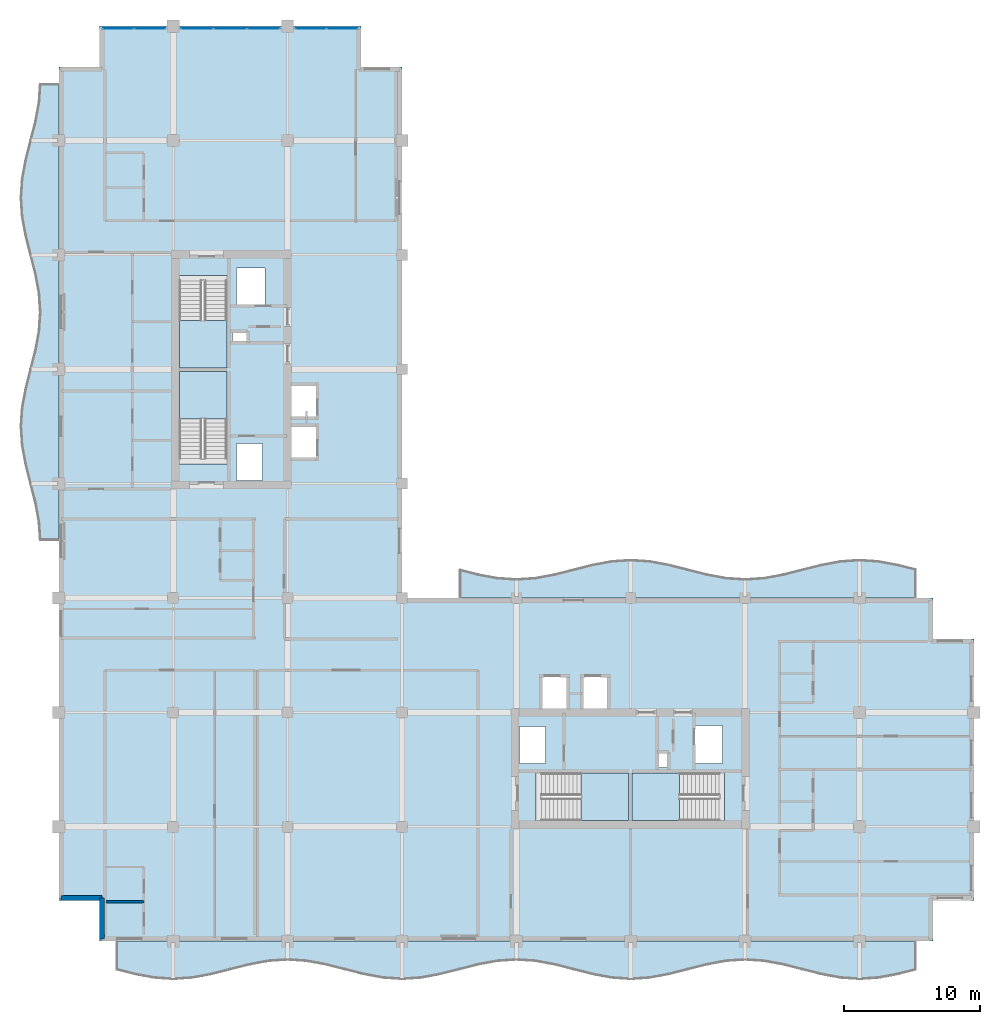
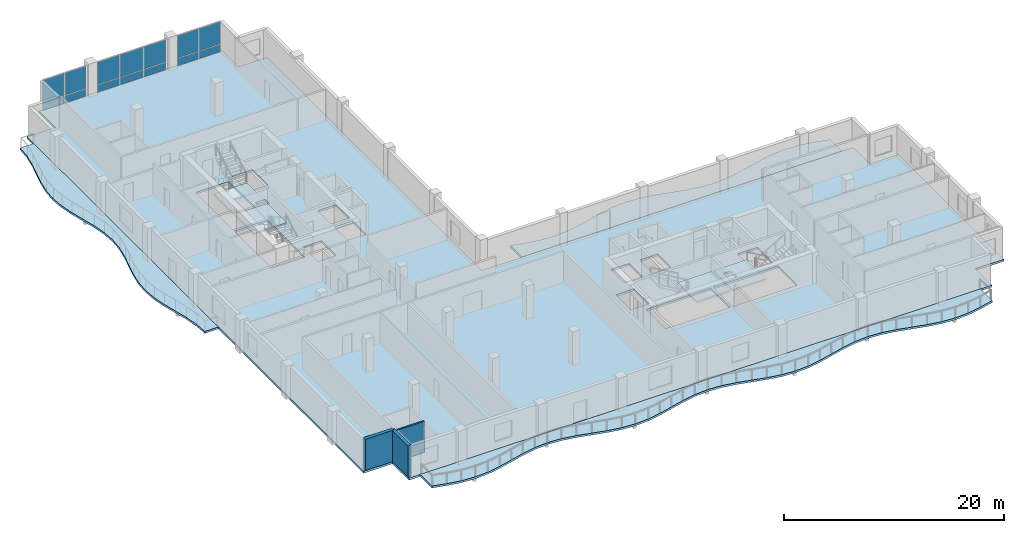
# One storey, part 5 of 16: 14 plates, 8 slabs, 3 walls, 7 elements without a shape of their own.
"""IFC4 building model written with IfcOpenShell, lengths in metres."""

import ifcopenshell
import ifcopenshell.guid

model = None  # the IFC model being written
_history = None  # IfcOwnerHistory: only IFC2X3 demands one
_inside = {}  # id of a spatial element -> (the spatial element, [elements in it])
_under = {}  # id of a project, library or spatial element -> (it, [spatial elements below it])
_declared = {}  # id of a project -> (the project, [libraries it declares])
_typed = {}  # id of a type object -> (the type object, [elements of that type])
_made_of = {}  # id of a material, layer set ... -> (it, [elements and type objects made of it])


def new_model(schema):
    """Start an empty IFC model of exactly this schema.

    Asked for "IFC4X3", IfcOpenShell would pick the latest addendum, in which some entities
    have other attributes; the version numbers below select the first issue.
    IFC2X3 requires an IfcOwnerHistory on every rooted entity: one is made here for all.
    """
    global model, _history
    if schema == "IFC4X3":
        model = ifcopenshell.file(schema_version=(4, 3, 0, 0))
    else:
        model = ifcopenshell.file(schema=schema)
    _inside.clear()
    _under.clear()
    _declared.clear()
    _typed.clear()
    _made_of.clear()
    _history = None
    if model.schema == "IFC2X3":
        org = make("IfcOrganization", Name="unknown")
        user = make(
            "IfcPersonAndOrganization",
            ThePerson=make("IfcPerson", FamilyName="unknown"),
            TheOrganization=org,
        )
        app = make(
            "IfcApplication",
            ApplicationDeveloper=org,
            Version="unknown",
            ApplicationFullName="unknown",
            ApplicationIdentifier="unknown",
        )
        _history = make(
            "IfcOwnerHistory",
            OwningUser=user,
            OwningApplication=app,
            ChangeAction="ADDED",
            CreationDate=0,
        )
    return model


def make(cls, **values):
    """One entity of the class cls with the attributes given. An attribute that is None is left unset."""
    return model.create_entity(
        cls, **{name: value for name, value in values.items() if value is not None}
    )


def rooted(cls, **values):
    """An entity with a GlobalId (a new one), such as an element, a storey or a relation."""
    return make(cls, GlobalId=ifcopenshell.guid.new(), OwnerHistory=_history, **values)


def si_unit(unit_type, name, prefix=None):
    """IfcSIUnit, for example si_unit("LENGTHUNIT", "METRE", prefix="MILLI")."""
    return make("IfcSIUnit", UnitType=unit_type, Prefix=prefix, Name=name)


def assignment(units):
    """IfcUnitAssignment: the units of a project."""
    return None if units is None else make("IfcUnitAssignment", Units=units)


def point(xyz):
    """IfcCartesianPoint."""
    return None if xyz is None else make("IfcCartesianPoint", Coordinates=xyz)


def direction(xyz):
    """IfcDirection."""
    return None if xyz is None else make("IfcDirection", DirectionRatios=xyz)


def frame(location, z_axis=None, x_axis=None):
    """IfcAxis2Placement3D, a coordinate frame: its origin and axes. An axis left out is left unset."""
    return make(
        "IfcAxis2Placement3D",
        Location=point(location),
        Axis=direction(z_axis),
        RefDirection=direction(x_axis),
    )


def frame_2d(location, x_axis=None):
    """IfcAxis2Placement2D, a coordinate frame in the plane: its origin and x axis."""
    return make(
        "IfcAxis2Placement2D", Location=point(location), RefDirection=direction(x_axis)
    )


def origin():
    """The frame at (0, 0, 0) with its axes left unset."""
    return frame((0.0, 0.0, 0.0))


def origin_2d():
    """The frame at (0, 0) in the plane with its x axis left unset."""
    return frame_2d((0.0, 0.0))


def place(relative_to, where):
    """IfcLocalPlacement: puts the frame where relative to a parent placement (None: the world)."""
    return make(
        "IfcLocalPlacement", PlacementRelTo=relative_to, RelativePlacement=where
    )


def context(
    kind, dimensions, precision=None, world=None, true_north=None, identifier=None
):
    """IfcGeometricRepresentationContext, for example the 3D "Model" context."""
    return make(
        "IfcGeometricRepresentationContext",
        ContextIdentifier=identifier,
        ContextType=kind,
        CoordinateSpaceDimension=dimensions,
        Precision=precision,
        WorldCoordinateSystem=world,
        TrueNorth=true_north,
    )


def subcontext(parent, identifier, kind, view, scale=None):
    """IfcGeometricRepresentationSubContext, for example "Body" below "Model"."""
    return make(
        "IfcGeometricRepresentationSubContext",
        ContextIdentifier=identifier,
        ContextType=kind,
        ParentContext=parent,
        TargetScale=scale,
        TargetView=view,
    )


def project(units=None, contexts=None):
    """IfcProject with its units and contexts."""
    return rooted(
        "IfcProject",
        Name="project",
        RepresentationContexts=contexts,
        UnitsInContext=assignment(units),
    )


def spatial(cls, under=None, at=None, **own):
    """A site, building, storey or space (cls), placed at a placement, below another one or the project."""
    s = rooted(cls, ObjectPlacement=at, **own)
    if under is not None:
        _under.setdefault(under.id(), (under, []))[1].append(s)
    return s


def polyline(points):
    """IfcPolyline through the points."""
    return make("IfcPolyline", Points=[point(p) for p in points])


def profile(cls, at=None, kind="AREA", **sizes):
    """A parametric profile (cls). Its sizes go by their IFC names, for example OverallWidth=200.0."""
    return make(cls, ProfileType=kind, Position=at, **sizes)


def rectangle(**sizes):
    """IfcRectangleProfileDef."""
    return profile("IfcRectangleProfileDef", **sizes)


def outline(outer, holes=None, kind="AREA"):
    """IfcArbitraryClosedProfileDef: a profile drawn as a closed curve; with holes, ...WithVoids."""
    if holes is None:
        return make("IfcArbitraryClosedProfileDef", ProfileType=kind, OuterCurve=outer)
    return make(
        "IfcArbitraryProfileDefWithVoids",
        ProfileType=kind,
        OuterCurve=outer,
        InnerCurves=holes,
    )


def extrude(swept, where, along, depth):
    """IfcExtrudedAreaSolid: the profile swept, set in the frame where, extruded along a direction by depth."""
    return make(
        "IfcExtrudedAreaSolid",
        SweptArea=swept,
        Position=where,
        ExtrudedDirection=direction(along),
        Depth=depth,
    )


def shape(context_of_items, identifier, shape_type, items):
    """IfcShapeRepresentation: the items that make up one representation, for example the "Body"."""
    return make(
        "IfcShapeRepresentation",
        ContextOfItems=context_of_items,
        RepresentationIdentifier=identifier,
        RepresentationType=shape_type,
        Items=items,
    )


def material(Name=None, Category=None):
    """IfcMaterial."""
    return make("IfcMaterial", Name=Name, Category=Category)


def layer(
    of_material, thickness, ventilated=None, Name=None, Category=None, Priority=None
):
    """IfcMaterialLayer: one layer of a wall or slab, of a material (None: an air gap)."""
    return make(
        "IfcMaterialLayer",
        Material=of_material,
        LayerThickness=thickness,
        IsVentilated=ventilated,
        Name=Name,
        Category=Category,
        Priority=Priority,
    )


def layer_set(layers, Name=None):
    """IfcMaterialLayerSet."""
    return make("IfcMaterialLayerSet", MaterialLayers=layers, LayerSetName=Name)


def made_of(thing, what):
    """Note that an element or type object is made of a material, layer set ...; save() writes the relation."""
    if what is not None:
        _made_of.setdefault(what.id(), (what, []))[1].append(thing)
    return thing


def type_object(cls, material=None, **own):
    """A type object (cls), such as IfcWallType, which elements share."""
    return made_of(rooted(cls, **own), material)


def element(
    cls,
    number,
    at=None,
    inside=None,
    cuts=None,
    type_object=None,
    material=None,
    context=None,
    identifier="Body",
    shape_type=None,
    held_by="IfcProductDefinitionShape",
    body=None,
    shapes=None,
    **own,
):
    """One element of the class cls, such as IfcWall. Its Tag is "e" and its number.

    at: its placement. inside: the storey or other place that contains it. cuts: it is an
    opening in that element (IfcRelVoidsElement). A single representation is given by context,
    identifier, shape_type and body (its items); several are given by shapes. held_by: the class
    of the entity that holds the representations. save() writes the other relations.
    """
    e = rooted(cls, Tag="e%d" % number, ObjectPlacement=at, **own)
    if body is not None:
        shapes = [shape(context, identifier, shape_type, body)]
    if shapes is not None:
        e.Representation = make(held_by, Representations=shapes)
    if inside is not None:
        _inside.setdefault(inside.id(), (inside, []))[1].append(e)
    if cuts is not None:
        rooted(
            "IfcRelVoidsElement", RelatingBuildingElement=cuts, RelatedOpeningElement=e
        )
    if type_object is not None:
        _typed.setdefault(type_object.id(), (type_object, []))[1].append(e)
    return made_of(e, material)


def aggregate(whole, parts):
    """IfcRelAggregates: a whole, such as a stair, and the parts it consists of."""
    return rooted("IfcRelAggregates", RelatingObject=whole, RelatedObjects=parts)


def save(model, path):
    """Write the relations noted so far, then the file.

    IfcRelAggregates (storeys below a building ...), IfcRelContainedInSpatialStructure (elements
    in a storey), IfcRelDefinesByType, IfcRelAssociatesMaterial and IfcRelDeclares: one each for
    every whole, place, type object, material and project.
    """
    for whole, parts in _under.values():
        aggregate(whole, parts)
    for where, things in _inside.values():
        rooted(
            "IfcRelContainedInSpatialStructure",
            RelatedElements=things,
            RelatingStructure=where,
        )
    for kind, things in _typed.values():
        rooted("IfcRelDefinesByType", RelatedObjects=things, RelatingType=kind)
    for what, things in _made_of.values():
        rooted("IfcRelAssociatesMaterial", RelatedObjects=things, RelatingMaterial=what)
    for by, libraries in _declared.values():
        rooted("IfcRelDeclares", RelatingContext=by, RelatedDefinitions=libraries)
    model.write(path)


model = new_model("IFC4")

# Units and contexts
model_context = context("Model", 3, precision=1e-05, world=origin(), true_north=direction((0.0, 1.0)))
body_context = subcontext(model_context, "Body", "Model", "MODEL_VIEW")
ifc_project = project(units=[si_unit("LENGTHUNIT", "METRE"), si_unit("AREAUNIT", "SQUARE_METRE"), si_unit("VOLUMEUNIT", "CUBIC_METRE"), si_unit("PLANEANGLEUNIT", "RADIAN"), si_unit("MASSUNIT", "GRAM", prefix="KILO")], contexts=[model_context])

# Site, building, storey
site_placement = place(None, origin())
site = spatial("IfcSite", under=ifc_project, at=site_placement, CompositionType="ELEMENT")
building_placement = place(site_placement, origin())
building = spatial("IfcBuilding", under=site, at=building_placement, Name="Koriwani Terraces Tower", CompositionType="ELEMENT")
storey_placement = place(building_placement, frame((0.0, 0.0, 267.5)))
storey = spatial("IfcBuildingStorey", under=building, at=storey_placement, Name="L66", CompositionType="ELEMENT", Elevation=267.5)

# Curtain wall, plates
ifc_material_1 = material(Name="Anodised Bronze Aluminium", Category="aluminium")
ifc_layer_1 = layer(ifc_material_1, 0.169921875, Name="Anodised Bronze Aluminium")
ifc_layer_set_1 = layer_set([ifc_layer_1], Name="Anodised Bronze Aluminium")
curtain_wall_type = type_object("IfcCurtainWallType", Name="CW_RES_ZONE4", PredefinedType="NOTDEFINED", material=ifc_layer_set_1)
curtain_wall_1_placement = place(storey_placement, origin())
curtain_wall_1 = element("IfcCurtainWall", 1, at=curtain_wall_1_placement, inside=storey, type_object=curtain_wall_type, Name="L66 Unitised Curtain Wall (N_TIP) Bay 1", PredefinedType="NOTDEFINED")
ifc_material_2 = material(Name="Tempered Laminated Low-E Glass", Category="glass")
ifc_layer_2 = layer(ifc_material_2, 0.028076171875, Name="Tempered Laminated Low-E Glass")
ifc_layer_set_2 = layer_set([ifc_layer_2], Name="Tempered Laminated Low-E Glass")
plate_type = type_object("IfcPlateType", Name="CW_PANEL_VISION_28", PredefinedType="CURTAIN_PANEL", material=ifc_layer_set_2)
plate_1_placement = place(storey_placement, frame((12.7724609375, 75.425048828125, 0.06494140625), z_axis=(0.0, 0.0, 1.0), x_axis=(1.0, 0.0, 0.0)))
plate_1 = element("IfcPlate", 2, at=plate_1_placement, type_object=plate_type, Name="CW-Z4 panel 1.1", PredefinedType="CURTAIN_PANEL", context=body_context, shape_type="SweptSolid", body=[
    extrude(rectangle(XDim=2.2451171875, YDim=0.028076171875, at=origin_2d()), origin(), (0.0, 0.0, 1.0), 0.802490234375),
])
plate_2_placement = place(storey_placement, frame((12.7724609375, 75.425048828125, 0.9326171875), z_axis=(0.0, 0.0, 1.0), x_axis=(1.0, 0.0, 0.0)))
plate_2 = element("IfcPlate", 3, at=plate_2_placement, type_object=plate_type, Name="CW-Z4 panel 1.2", PredefinedType="CURTAIN_PANEL", context=body_context, shape_type="SweptSolid", body=[
    extrude(rectangle(XDim=2.2451171875, YDim=0.028076171875, at=origin_2d()), origin(), (0.0, 0.0, 1.0), 2.472412109375),
])
plate_3_placement = place(storey_placement, frame((15.092529296875, 75.425048828125, 0.06494140625), z_axis=(0.0, 0.0, 1.0), x_axis=(1.0, 0.0, 0.0)))
plate_3 = element("IfcPlate", 4, at=plate_3_placement, type_object=plate_type, Name="CW-Z4 panel 2.1", PredefinedType="CURTAIN_PANEL", context=body_context, shape_type="SweptSolid", body=[
    extrude(rectangle(XDim=2.2451171875, YDim=0.028076171875, at=origin_2d()), origin(), (0.0, 0.0, 1.0), 0.802490234375),
])
plate_4_placement = place(storey_placement, frame((15.092529296875, 75.425048828125, 0.9326171875), z_axis=(0.0, 0.0, 1.0), x_axis=(1.0, 0.0, 0.0)))
plate_4 = element("IfcPlate", 5, at=plate_4_placement, type_object=plate_type, Name="CW-Z4 panel 2.2", PredefinedType="CURTAIN_PANEL", context=body_context, shape_type="SweptSolid", body=[
    extrude(rectangle(XDim=2.2451171875, YDim=0.028076171875, at=origin_2d()), origin(), (0.0, 0.0, 1.0), 2.472412109375),
])
aggregate(curtain_wall_1, [plate_1, plate_2, plate_3, plate_4])

curtain_wall_2_placement = place(storey_placement, origin())
curtain_wall_2 = element("IfcCurtainWall", 6, at=curtain_wall_2_placement, inside=storey, type_object=curtain_wall_type, Name="L66 Unitised Curtain Wall (N_TIP) Bay 2", PredefinedType="NOTDEFINED")
plate_5_placement = place(storey_placement, frame((18.558837890625, 75.425048828125, 0.06494140625), z_axis=(0.0, 0.0, 1.0), x_axis=(1.0, 0.0, 0.0)))
plate_5 = element("IfcPlate", 7, at=plate_5_placement, type_object=plate_type, Name="CW-Z4 panel 1.1", PredefinedType="CURTAIN_PANEL", context=body_context, shape_type="SweptSolid", body=[
    extrude(rectangle(XDim=2.347412109375, YDim=0.028076171875, at=origin_2d()), origin(), (0.0, 0.0, 1.0), 0.802490234375),
])
plate_6_placement = place(storey_placement, frame((18.558837890625, 75.425048828125, 0.9326171875), z_axis=(0.0, 0.0, 1.0), x_axis=(1.0, 0.0, 0.0)))
plate_6 = element("IfcPlate", 8, at=plate_6_placement, type_object=plate_type, Name="CW-Z4 panel 1.2", PredefinedType="CURTAIN_PANEL", context=body_context, shape_type="SweptSolid", body=[
    extrude(rectangle(XDim=2.347412109375, YDim=0.028076171875, at=origin_2d()), origin(), (0.0, 0.0, 1.0), 2.472412109375),
])
plate_7_placement = place(storey_placement, frame((21.0, 75.425048828125, 0.06494140625), z_axis=(0.0, 0.0, 1.0), x_axis=(1.0, 0.0, 0.0)))
plate_7 = element("IfcPlate", 9, at=plate_7_placement, type_object=plate_type, Name="CW-Z4 panel 2.1", PredefinedType="CURTAIN_PANEL", context=body_context, shape_type="SweptSolid", body=[
    extrude(rectangle(XDim=2.385009765625, YDim=0.028076171875, at=origin_2d()), origin(), (0.0, 0.0, 1.0), 0.802490234375),
])
plate_8_placement = place(storey_placement, frame((21.0, 75.425048828125, 0.9326171875), z_axis=(0.0, 0.0, 1.0), x_axis=(1.0, 0.0, 0.0)))
plate_8 = element("IfcPlate", 10, at=plate_8_placement, type_object=plate_type, Name="CW-Z4 panel 2.2", PredefinedType="CURTAIN_PANEL", context=body_context, shape_type="SweptSolid", body=[
    extrude(rectangle(XDim=2.385009765625, YDim=0.028076171875, at=origin_2d()), origin(), (0.0, 0.0, 1.0), 2.472412109375),
])
plate_9_placement = place(storey_placement, frame((23.441162109375, 75.425048828125, 0.06494140625), z_axis=(0.0, 0.0, 1.0), x_axis=(1.0, 0.0, 0.0)))
plate_9 = element("IfcPlate", 11, at=plate_9_placement, type_object=plate_type, Name="CW-Z4 panel 3.1", PredefinedType="CURTAIN_PANEL", context=body_context, shape_type="SweptSolid", body=[
    extrude(rectangle(XDim=2.347412109375, YDim=0.028076171875, at=origin_2d()), origin(), (0.0, 0.0, 1.0), 0.802490234375),
])
plate_10_placement = place(storey_placement, frame((23.441162109375, 75.425048828125, 0.9326171875), z_axis=(0.0, 0.0, 1.0), x_axis=(1.0, 0.0, 0.0)))
plate_10 = element("IfcPlate", 12, at=plate_10_placement, type_object=plate_type, Name="CW-Z4 panel 3.2", PredefinedType="CURTAIN_PANEL", context=body_context, shape_type="SweptSolid", body=[
    extrude(rectangle(XDim=2.347412109375, YDim=0.028076171875, at=origin_2d()), origin(), (0.0, 0.0, 1.0), 2.472412109375),
])
aggregate(curtain_wall_2, [plate_5, plate_6, plate_7, plate_8, plate_9, plate_10])

curtain_wall_3_placement = place(storey_placement, origin())
curtain_wall_3 = element("IfcCurtainWall", 13, at=curtain_wall_3_placement, inside=storey, type_object=curtain_wall_type, Name="L66 Unitised Curtain Wall (N_TIP) Bay 3", PredefinedType="NOTDEFINED")
plate_11_placement = place(storey_placement, frame((26.907470703125, 75.425048828125, 0.06494140625), z_axis=(0.0, 0.0, 1.0), x_axis=(1.0, 0.0, 0.0)))
plate_11 = element("IfcPlate", 14, at=plate_11_placement, type_object=plate_type, Name="CW-Z4 panel 1.1", PredefinedType="CURTAIN_PANEL", context=body_context, shape_type="SweptSolid", body=[
    extrude(rectangle(XDim=2.2451171875, YDim=0.028076171875, at=origin_2d()), origin(), (0.0, 0.0, 1.0), 0.802490234375),
])
plate_12_placement = place(storey_placement, frame((26.907470703125, 75.425048828125, 0.9326171875), z_axis=(0.0, 0.0, 1.0), x_axis=(1.0, 0.0, 0.0)))
plate_12 = element("IfcPlate", 15, at=plate_12_placement, type_object=plate_type, Name="CW-Z4 panel 1.2", PredefinedType="CURTAIN_PANEL", context=body_context, shape_type="SweptSolid", body=[
    extrude(rectangle(XDim=2.2451171875, YDim=0.028076171875, at=origin_2d()), origin(), (0.0, 0.0, 1.0), 2.472412109375),
])
plate_13_placement = place(storey_placement, frame((29.2275390625, 75.425048828125, 0.06494140625), z_axis=(0.0, 0.0, 1.0), x_axis=(1.0, 0.0, 0.0)))
plate_13 = element("IfcPlate", 16, at=plate_13_placement, type_object=plate_type, Name="CW-Z4 panel 2.1", PredefinedType="CURTAIN_PANEL", context=body_context, shape_type="SweptSolid", body=[
    extrude(rectangle(XDim=2.2451171875, YDim=0.028076171875, at=origin_2d()), origin(), (0.0, 0.0, 1.0), 0.802490234375),
])
plate_14_placement = place(storey_placement, frame((29.2275390625, 75.425048828125, 0.9326171875), z_axis=(0.0, 0.0, 1.0), x_axis=(1.0, 0.0, 0.0)))
plate_14 = element("IfcPlate", 17, at=plate_14_placement, type_object=plate_type, Name="CW-Z4 panel 2.2", PredefinedType="CURTAIN_PANEL", context=body_context, shape_type="SweptSolid", body=[
    extrude(rectangle(XDim=2.2451171875, YDim=0.028076171875, at=origin_2d()), origin(), (0.0, 0.0, 1.0), 2.472412109375),
])
aggregate(curtain_wall_3, [plate_11, plate_12, plate_13, plate_14])

# Slabs
ifc_material_3 = material(Name="Concrete C40/50", Category="concrete")
ifc_layer_3 = layer(ifc_material_3, 0.219970703125, Name="Concrete C40/50")
ifc_layer_set_3 = layer_set([ifc_layer_3], Name="Concrete C40/50")
slab_type_1 = type_object("IfcSlabType", Name="SLAB_BALCONY_220", PredefinedType="FLOOR", material=ifc_layer_set_3)
slab_1_placement = place(storey_placement, frame((0.0, 0.0, -0.219970703125)))
element("IfcSlab", 18, at=slab_1_placement, inside=storey, type_object=slab_type_1, Name="L66 Quilted Circular-Arc Balcony (S)", PredefinedType="FLOOR", context=body_context, shape_type="SweptSolid", body=[
    extrude(outline(polyline([(12.60009765625, 8.39990234375), (14.0, 8.39990234375), (15.39990234375, 8.39990234375), (16.800048828125, 8.39990234375), (18.199951171875, 8.39990234375), (19.60009765625, 8.39990234375), (21.0, 8.39990234375), (22.39990234375, 8.39990234375), (23.800048828125, 8.39990234375), (25.199951171875, 8.39990234375), (26.60009765625, 8.39990234375), (28.0, 8.39990234375), (29.39990234375, 8.39990234375), (30.800048828125, 8.39990234375), (32.199951171875, 8.39990234375), (33.60009765625, 8.39990234375), (35.0, 8.39990234375), (36.39990234375, 8.39990234375), (37.800048828125, 8.39990234375), (39.199951171875, 8.39990234375), (40.60009765625, 8.39990234375), (42.0, 8.39990234375), (43.39990234375, 8.39990234375), (44.800048828125, 8.39990234375), (46.199951171875, 8.39990234375), (47.60009765625, 8.39990234375), (49.0, 8.39990234375), (50.39990234375, 8.39990234375), (51.800048828125, 8.39990234375), (53.199951171875, 8.39990234375), (54.60009765625, 8.39990234375), (56.0, 8.39990234375), (57.39990234375, 8.39990234375), (58.800048828125, 8.39990234375), (60.199951171875, 8.39990234375), (61.60009765625, 8.39990234375), (63.0, 8.39990234375), (64.39990234375, 8.39990234375), (65.800048828125, 8.39990234375), (67.199951171875, 8.39990234375), (68.60009765625, 8.39990234375), (70.0, 8.39990234375), (71.39990234375, 8.39990234375), (71.39990234375, 6.260009765625), (70.0, 5.905029296875), (68.60009765625, 5.64501953125), (67.199951171875, 5.550048828125), (65.800048828125, 5.64501953125), (64.39990234375, 5.905029296875), (63.0, 6.260009765625), (61.60009765625, 6.614990234375), (60.199951171875, 6.875), (58.800048828125, 6.969970703125), (57.39990234375, 6.875), (56.0, 6.614990234375), (54.60009765625, 6.260009765625), (53.199951171875, 5.905029296875), (51.800048828125, 5.64501953125), (50.39990234375, 5.550048828125), (49.0, 5.64501953125), (47.60009765625, 5.905029296875), (46.199951171875, 6.260009765625), (44.800048828125, 6.614990234375), (43.39990234375, 6.875), (42.0, 6.969970703125), (40.60009765625, 6.875), (39.199951171875, 6.614990234375), (37.800048828125, 6.260009765625), (36.39990234375, 5.905029296875), (35.0, 5.64501953125), (33.60009765625, 5.550048828125), (32.199951171875, 5.64501953125), (30.800048828125, 5.905029296875), (29.39990234375, 6.260009765625), (28.0, 6.614990234375), (26.60009765625, 6.875), (25.199951171875, 6.969970703125), (23.800048828125, 6.875), (22.39990234375, 6.614990234375), (21.0, 6.260009765625), (19.60009765625, 5.905029296875), (18.199951171875, 5.64501953125), (16.800048828125, 5.550048828125), (15.39990234375, 5.64501953125), (14.0, 5.905029296875), (12.60009765625, 6.260009765625), (12.60009765625, 8.39990234375)])), origin(), (0.0, 0.0, 1.0), 0.219970703125),
])
slab_2_placement = place(storey_placement, frame((0.0, 0.0, -0.219970703125)))
element("IfcSlab", 19, at=slab_2_placement, inside=storey, type_object=slab_type_1, Name="L66 Quilted Circular-Arc Balcony (W)", PredefinedType="FLOOR", context=body_context, shape_type="SweptSolid", body=[
    extrude(outline(polyline([(8.39990234375, 37.800048828125), (8.39990234375, 39.199951171875), (8.39990234375, 40.60009765625), (8.39990234375, 42.0), (8.39990234375, 43.39990234375), (8.39990234375, 44.800048828125), (8.39990234375, 46.199951171875), (8.39990234375, 47.60009765625), (8.39990234375, 49.0), (8.39990234375, 50.39990234375), (8.39990234375, 51.800048828125), (8.39990234375, 53.199951171875), (8.39990234375, 54.60009765625), (8.39990234375, 56.0), (8.39990234375, 57.39990234375), (8.39990234375, 58.800048828125), (8.39990234375, 60.199951171875), (8.39990234375, 61.60009765625), (8.39990234375, 63.0), (8.39990234375, 64.39990234375), (8.39990234375, 65.800048828125), (8.39990234375, 67.199951171875), (8.39990234375, 68.60009765625), (8.39990234375, 70.0), (8.39990234375, 71.39990234375), (6.969970703125, 71.39990234375), (6.875, 70.0), (6.614990234375, 68.60009765625), (6.260009765625, 67.199951171875), (5.905029296875, 65.800048828125), (5.64501953125, 64.39990234375), (5.550048828125, 63.0), (5.64501953125, 61.60009765625), (5.905029296875, 60.199951171875), (6.260009765625, 58.800048828125), (6.614990234375, 57.39990234375), (6.875, 56.0), (6.969970703125, 54.60009765625), (6.875, 53.199951171875), (6.614990234375, 51.800048828125), (6.260009765625, 50.39990234375), (5.905029296875, 49.0), (5.64501953125, 47.60009765625), (5.550048828125, 46.199951171875), (5.64501953125, 44.800048828125), (5.905029296875, 43.39990234375), (6.260009765625, 42.0), (6.614990234375, 40.60009765625), (6.875, 39.199951171875), (6.969970703125, 37.800048828125), (8.39990234375, 37.800048828125)])), origin(), (0.0, 0.0, 1.0), 0.219970703125),
])
slab_3_placement = place(storey_placement, frame((0.0, 0.0, -0.219970703125)))
element("IfcSlab", 20, at=slab_3_placement, inside=storey, type_object=slab_type_1, Name="L66 Quilted Circular-Arc Balcony (NE)", PredefinedType="FLOOR", context=body_context, shape_type="SweptSolid", body=[
    extrude(outline(polyline([(71.39990234375, 33.60009765625), (70.0, 33.60009765625), (68.60009765625, 33.60009765625), (67.199951171875, 33.60009765625), (65.800048828125, 33.60009765625), (64.39990234375, 33.60009765625), (63.0, 33.60009765625), (61.60009765625, 33.60009765625), (60.199951171875, 33.60009765625), (58.800048828125, 33.60009765625), (57.39990234375, 33.60009765625), (56.0, 33.60009765625), (54.60009765625, 33.60009765625), (53.199951171875, 33.60009765625), (51.800048828125, 33.60009765625), (50.39990234375, 33.60009765625), (49.0, 33.60009765625), (47.60009765625, 33.60009765625), (46.199951171875, 33.60009765625), (44.800048828125, 33.60009765625), (43.39990234375, 33.60009765625), (42.0, 33.60009765625), (40.60009765625, 33.60009765625), (39.199951171875, 33.60009765625), (37.800048828125, 33.60009765625), (37.800048828125, 35.739990234375), (39.199951171875, 35.385009765625), (40.60009765625, 35.125), (42.0, 35.030029296875), (43.39990234375, 35.125), (44.800048828125, 35.385009765625), (46.199951171875, 35.739990234375), (47.60009765625, 36.094970703125), (49.0, 36.35498046875), (50.39990234375, 36.449951171875), (51.800048828125, 36.35498046875), (53.199951171875, 36.094970703125), (54.60009765625, 35.739990234375), (56.0, 35.385009765625), (57.39990234375, 35.125), (58.800048828125, 35.030029296875), (60.199951171875, 35.125), (61.60009765625, 35.385009765625), (63.0, 35.739990234375), (64.39990234375, 36.094970703125), (65.800048828125, 36.35498046875), (67.199951171875, 36.449951171875), (68.60009765625, 36.35498046875), (70.0, 36.094970703125), (71.39990234375, 35.739990234375), (71.39990234375, 33.60009765625)])), origin(), (0.0, 0.0, 1.0), 0.219970703125),
])
ifc_layer_4 = layer(ifc_material_3, 0.22998046875, Name="Concrete C40/50")
ifc_layer_set_4 = layer_set([ifc_layer_4], Name="Concrete C40/50")
slab_type_2 = type_object("IfcSlabType", Name="SLAB_RES_TYP_230", PredefinedType="FLOOR", material=ifc_layer_set_4)
slab_4_placement = place(storey_placement, frame((0.0, 0.0, -0.22998046875)))
element("IfcSlab", 21, at=slab_4_placement, inside=storey, type_object=slab_type_2, Name="L66 Structural Floor Slab", PredefinedType="FLOOR", context=body_context, shape_type="SweptSolid", body=[
    extrude(outline(polyline([(11.39990234375, 8.39990234375), (72.60009765625, 8.39990234375), (72.60009765625, 11.39990234375), (75.60009765625, 11.39990234375), (75.60009765625, 30.60009765625), (72.60009765625, 30.60009765625), (72.60009765625, 33.60009765625), (33.60009765625, 33.60009765625), (33.60009765625, 72.60009765625), (30.60009765625, 72.60009765625), (30.60009765625, 75.60009765625), (11.39990234375, 75.60009765625), (11.39990234375, 72.60009765625), (8.39990234375, 72.60009765625), (8.39990234375, 11.39990234375), (11.39990234375, 11.39990234375), (11.39990234375, 8.39990234375)]), holes=[polyline([(17.25, 43.4599609375), (20.75, 43.4599609375), (20.75, 50.25), (17.25, 50.25), (17.25, 43.4599609375)]), polyline([(17.25, 50.5), (20.75, 50.5), (20.75, 57.2900390625), (17.25, 57.2900390625), (17.25, 50.5)]), polyline([(43.4599609375, 17.25), (50.25, 17.25), (50.25, 20.75), (43.4599609375, 20.75), (43.4599609375, 17.25)]), polyline([(50.5, 17.25), (57.2900390625, 17.25), (57.2900390625, 20.75), (50.5, 20.75), (50.5, 17.25)]), polyline([(25.449951171875, 43.85009765625), (27.35009765625, 43.85009765625), (27.35009765625, 46.25), (25.449951171875, 46.25), (25.449951171875, 43.85009765625)]), polyline([(25.449951171875, 46.85009765625), (27.35009765625, 46.85009765625), (27.35009765625, 49.25), (25.449951171875, 49.25), (25.449951171875, 46.85009765625)]), polyline([(43.85009765625, 25.449951171875), (45.75, 25.449951171875), (45.75, 27.85009765625), (43.85009765625, 27.85009765625), (43.85009765625, 25.449951171875)]), polyline([(46.85009765625, 25.449951171875), (48.75, 25.449951171875), (48.75, 27.85009765625), (46.85009765625, 27.85009765625), (46.85009765625, 25.449951171875)]), polyline([(21.449951171875, 55.050048828125), (23.550048828125, 55.050048828125), (23.550048828125, 57.85009765625), (21.449951171875, 57.85009765625), (21.449951171875, 55.050048828125)]), polyline([(55.050048828125, 21.449951171875), (57.14990234375, 21.449951171875), (57.14990234375, 24.25), (55.050048828125, 24.25), (55.050048828125, 21.449951171875)]), polyline([(21.449951171875, 42.25), (23.35009765625, 42.25), (23.35009765625, 44.949951171875), (21.449951171875, 44.949951171875), (21.449951171875, 42.25)]), polyline([(42.25, 21.449951171875), (44.14990234375, 21.449951171875), (44.14990234375, 24.14990234375), (42.25, 24.14990234375), (42.25, 21.449951171875)]), polyline([(21.14990234375, 52.419921875), (22.219970703125, 52.419921875), (22.219970703125, 53.179931640625), (21.14990234375, 53.179931640625), (21.14990234375, 52.419921875)]), polyline([(52.419921875, 21.14990234375), (53.179931640625, 21.14990234375), (53.179931640625, 22.219970703125), (52.419921875, 22.219970703125), (52.419921875, 21.14990234375)])]), origin(), (0.0, 0.0, 1.0), 0.22998046875),
])

# Stair, slab
stair_type = type_object("IfcStairType", Name="STAIR_CORE_DOGLEG_1650", PredefinedType="TWO_STRAIGHT_RUN_STAIR", material=ifc_material_3)
stair_1_placement = place(storey_placement, origin())
stair_1 = element("IfcStair", 22, at=stair_1_placement, inside=storey, type_object=stair_type, Name="L66 West Core Exit Stair 1", PredefinedType="HALF_TURN_STAIR")
ifc_layer_5 = layer(ifc_material_3, 0.199951171875, Name="Concrete C40/50")
ifc_layer_set_5 = layer_set([ifc_layer_5], Name="Concrete C40/50")
slab_type_3 = type_object("IfcSlabType", Name="SLAB_STAIR_LANDING_200", PredefinedType="LANDING", material=ifc_layer_set_5)
slab_5_placement = place(storey_placement, frame((0.0, 0.0, 1.64990234375)))
slab_5 = element("IfcSlab", 23, at=slab_5_placement, type_object=slab_type_3, Name="ST-W1 landing 1", PredefinedType="LANDING", context=body_context, shape_type="SweptSolid", body=[
    extrude(outline(polyline([(20.75, 46.75), (20.75, 50.25), (17.25, 50.25), (17.25, 46.75), (20.75, 46.75)])), origin(), (0.0, 0.0, 1.0), 0.2001953125),
])
aggregate(stair_1, [slab_5])

stair_2_placement = place(storey_placement, origin())
stair_2 = element("IfcStair", 24, at=stair_2_placement, inside=storey, type_object=stair_type, Name="L66 West Core Exit Stair 2", PredefinedType="HALF_TURN_STAIR")
slab_6_placement = place(storey_placement, frame((0.0, 0.0, 1.64990234375)))
slab_6 = element("IfcSlab", 25, at=slab_6_placement, type_object=slab_type_3, Name="ST-W2 landing 1", PredefinedType="LANDING", context=body_context, shape_type="SweptSolid", body=[
    extrude(outline(polyline([(17.25, 54.0), (17.25, 50.5), (20.75, 50.5), (20.75, 54.0), (17.25, 54.0)])), origin(), (0.0, 0.0, 1.0), 0.2001953125),
])
aggregate(stair_2, [slab_6])

stair_3_placement = place(storey_placement, origin())
stair_3 = element("IfcStair", 26, at=stair_3_placement, inside=storey, type_object=stair_type, Name="L66 East Core Exit Stair 1", PredefinedType="HALF_TURN_STAIR")
slab_7_placement = place(storey_placement, frame((0.0, 0.0, 1.64990234375)))
slab_7 = element("IfcSlab", 27, at=slab_7_placement, type_object=slab_type_3, Name="ST-E1 landing 1", PredefinedType="LANDING", context=body_context, shape_type="SweptSolid", body=[
    extrude(outline(polyline([(46.75, 17.25), (50.25, 17.25), (50.25, 20.75), (46.75, 20.75), (46.75, 17.25)])), origin(), (0.0, 0.0, 1.0), 0.2001953125),
])
aggregate(stair_3, [slab_7])

stair_4_placement = place(storey_placement, origin())
stair_4 = element("IfcStair", 28, at=stair_4_placement, inside=storey, type_object=stair_type, Name="L66 East Core Exit Stair 2", PredefinedType="HALF_TURN_STAIR")
slab_8_placement = place(storey_placement, frame((0.0, 0.0, 1.64990234375)))
slab_8 = element("IfcSlab", 29, at=slab_8_placement, type_object=slab_type_3, Name="ST-E2 landing 1", PredefinedType="LANDING", context=body_context, shape_type="SweptSolid", body=[
    extrude(outline(polyline([(54.0, 20.75), (50.5, 20.75), (50.5, 17.25), (54.0, 17.25), (54.0, 20.75)])), origin(), (0.0, 0.0, 1.0), 0.2001953125),
])
aggregate(stair_4, [slab_8])

# Walls
ifc_material_4 = material(Name="Concrete C50/60", Category="concrete")
ifc_layer_6 = layer(ifc_material_4, 0.35009765625, Name="Concrete C50/60")
ifc_layer_set_6 = layer_set([ifc_layer_6], Name="Concrete C50/60")
wall_type_1 = type_object("IfcWallType", Name="WALL_EXT_BRUTALIST_350", PredefinedType="STANDARD", material=ifc_layer_set_6)
for number, where, z_axis, x_axis, name in (
    (30, (11.574951171875, 8.574951171875, 0.0), (0.0, 0.0, 1.0), (0.0, 1.0, 0.0), "L66 Fair-Faced Brutalist Exterior Wall (N0)"),
    (31, (11.574951171875, 11.574951171875, 0.0), (0.0, 0.0, 1.0), (-1.0, 0.0, 0.0), "L66 Fair-Faced Brutalist Exterior Wall (N1)"),
):
    element("IfcWall", number, at=place(storey_placement, frame(where, z_axis=z_axis, x_axis=x_axis)), inside=storey, type_object=wall_type_1, Name=name, PredefinedType="STANDARD", context=body_context, shape_type="SweptSolid", body=[
        extrude(rectangle(XDim=3.0, YDim=0.35009765625, at=frame_2d((1.5, 0.0))), origin(), (0.0, 0.0, 1.0), 3.469970703125),
    ])
ifc_material_5 = material(Name="Fire-Rated Acoustic Gypsum Partition", Category="masonry")
ifc_layer_7 = layer(ifc_material_5, 0.179931640625, Name="Fire-Rated Acoustic Gypsum Partition")
ifc_layer_set_7 = layer_set([ifc_layer_7], Name="Fire-Rated Acoustic Gypsum Partition")
wall_type_2 = type_object("IfcWallType", Name="WALL_PLUMBING_180", PredefinedType="PLUMBINGWALL", material=ifc_layer_set_7)
wall_placement = place(storey_placement, frame((11.85009765625, 11.300048828125, 0.0), z_axis=(0.0, 0.0, 1.0), x_axis=(1.0, 0.0, 0.0)))
element("IfcWall", 32, at=wall_placement, inside=storey, type_object=wall_type_2, Name="L66 Interior Wall WGB-L66-SPINE-SVM", PredefinedType="PLUMBINGWALL", context=body_context, shape_type="SweptSolid", body=[
    extrude(rectangle(XDim=2.7998046875, YDim=0.179931640625, at=frame_2d((1.39990234375, 0.0))), origin(), (0.0, 0.0, 1.0), 3.469970703125),
])

save(model, "model.ifc")
